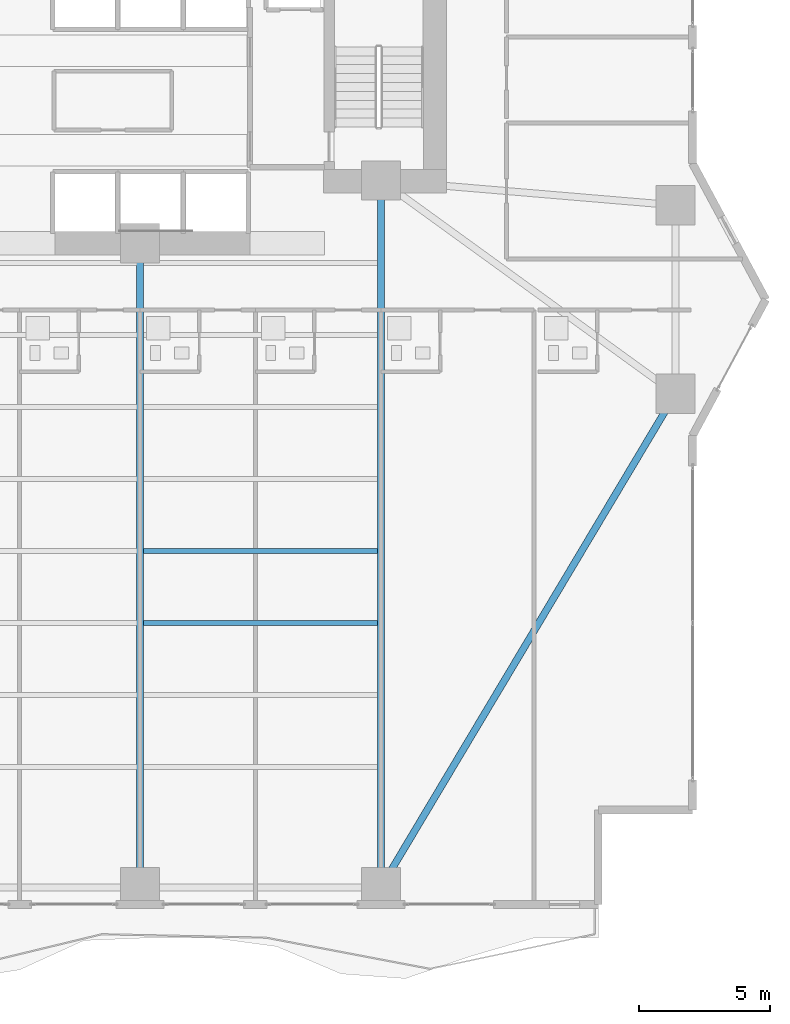
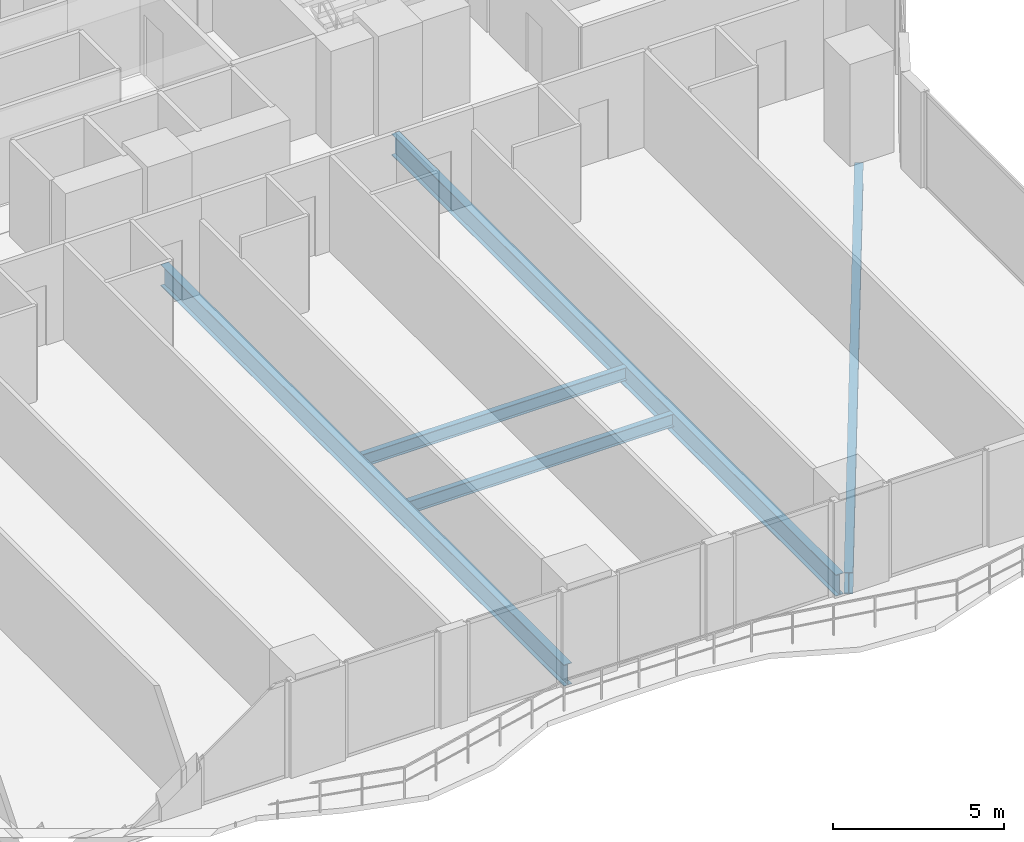
# One storey, part 9 of 29: 5 beams.
"""IFC4 building model written with IfcOpenShell, lengths in metres."""

from ifc_helpers import new_model, si_unit, direction, frame, origin, origin_2d, place, context, subcontext, project, spatial, i_section, extrude, material, material_profile, profile_set, type_object, element, save


model = new_model("IFC4")

# Units and contexts
model_context = context("Model", 3, precision=1e-05, world=origin(), true_north=direction((0.0, 1.0)))
body_context = subcontext(model_context, "Body", "Model", "MODEL_VIEW")
ifc_project = project(units=[si_unit("LENGTHUNIT", "METRE"), si_unit("AREAUNIT", "SQUARE_METRE"), si_unit("VOLUMEUNIT", "CUBIC_METRE"), si_unit("PLANEANGLEUNIT", "RADIAN"), si_unit("MASSUNIT", "GRAM", prefix="KILO")], contexts=[model_context])

# Site, building, storey
site_placement = place(None, origin())
site = spatial("IfcSite", under=ifc_project, at=site_placement, CompositionType="ELEMENT")
building_placement = place(site_placement, origin())
building = spatial("IfcBuilding", under=site, at=building_placement, Name="Zuhayl Quay Hotel", CompositionType="ELEMENT")
storey_placement = place(building_placement, frame((0.0, 0.0, 64.10009765625)))
storey = spatial("IfcBuildingStorey", under=building, at=storey_placement, Name="L15", CompositionType="ELEMENT", Elevation=64.10009765625)

# Beams
ifc_material = material(Name="Steel ASTM A992 Grade 50", Category="steel")
ifc_material_profile_1 = material_profile(ifc_material, i_section(OverallWidth=0.26708984375, OverallDepth=0.761962890625, WebThickness=0.014404296875, FlangeThickness=0.021484375, at=origin_2d()), Name="W30X116")
ifc_profile_set_1 = profile_set([ifc_material_profile_1], Name="Steel ASTM A992 Grade 50")
beam_type_1 = type_object("IfcBeamType", Name="BM_B1_W30X116", PredefinedType="BEAM", material=ifc_profile_set_1)
beam_1_placement = place(storey_placement, frame((14.05615234375, -22.020751953125, -0.60107421875), z_axis=(0.512482593247, 0.85869761361, 0.0), x_axis=(-0.85869761361, 0.512482593247, 0.0)))
element("IfcBeam", 1, at=beam_1_placement, inside=storey, type_object=beam_type_1, Name="L15 Floor Beam RG_L15_04", PredefinedType="BEAM", context=body_context, shape_type="SweptSolid", body=[
    extrude(i_section(OverallWidth=0.26708984375, OverallDepth=0.761962890625, WebThickness=0.014404296875, FlangeThickness=0.021484375, at=origin_2d()), origin(), (0.0, 0.0, 1.0), 20.9521484375),
])
beam_2_placement = place(storey_placement, frame((4.60009765625, -21.949951171875, -0.60107421875), z_axis=(0.0, 1.0, 0.0), x_axis=(-1.0, 0.0, 0.0)))
element("IfcBeam", 2, at=beam_2_placement, inside=storey, type_object=beam_type_1, Name="L15 Floor Beam FG_S_L15_3", PredefinedType="BEAM", context=body_context, shape_type="SweptSolid", body=[
    extrude(i_section(OverallWidth=0.26708984375, OverallDepth=0.761962890625, WebThickness=0.014404296875, FlangeThickness=0.021484375, at=origin_2d()), origin(), (0.0, 0.0, 1.0), 23.64990234375),
])
beam_3_placement = place(storey_placement, frame((13.800048828125, -21.949951171875, -0.60107421875), z_axis=(0.0, 1.0, 0.0), x_axis=(-1.0, 0.0, 0.0)))
element("IfcBeam", 3, at=beam_3_placement, inside=storey, type_object=beam_type_1, Name="L15 Floor Beam FG_S_L15_4", PredefinedType="BEAM", context=body_context, shape_type="SweptSolid", body=[
    extrude(i_section(OverallWidth=0.26708984375, OverallDepth=0.761962890625, WebThickness=0.014404296875, FlangeThickness=0.021484375, at=origin_2d()), origin(), (0.0, 0.0, 1.0), 26.050048828125),
])
ifc_material_profile_2 = material_profile(ifc_material, i_section(OverallWidth=0.18994140625, OverallDepth=0.45703125, WebThickness=0.009033203125, FlangeThickness=0.014404296875, at=origin_2d()), Name="W18X50")
ifc_profile_set_2 = profile_set([ifc_material_profile_2], Name="Steel ASTM A992 Grade 50")
beam_type_2 = type_object("IfcBeamType", Name="BM_J2_W18X50", PredefinedType="JOIST", material=ifc_profile_set_2)
for number, where, z_axis, x_axis, name in (
    (4, (4.7255859375, -12.35009765625, -0.448486328125), (1.0, 0.0, 0.0), (0.0, 1.0, 0.0), "L15 Floor Beam FJ_L15_5_3"),
    (5, (4.7255859375, -9.60009765625, -0.448486328125), (1.0, 0.0, 0.0), (0.0, 1.0, 0.0), "L15 Floor Beam FJ_L15_6_3"),
):
    element("IfcBeam", number, at=place(storey_placement, frame(where, z_axis=z_axis, x_axis=x_axis)), inside=storey, type_object=beam_type_2, Name=name, PredefinedType="JOIST", context=body_context, shape_type="SweptSolid", body=[
        extrude(i_section(OverallWidth=0.18994140625, OverallDepth=0.45703125, WebThickness=0.009033203125, FlangeThickness=0.014404296875, at=origin_2d()), origin(), (0.0, 0.0, 1.0), 8.948974609375),
    ])

save(model, "model.ifc")
